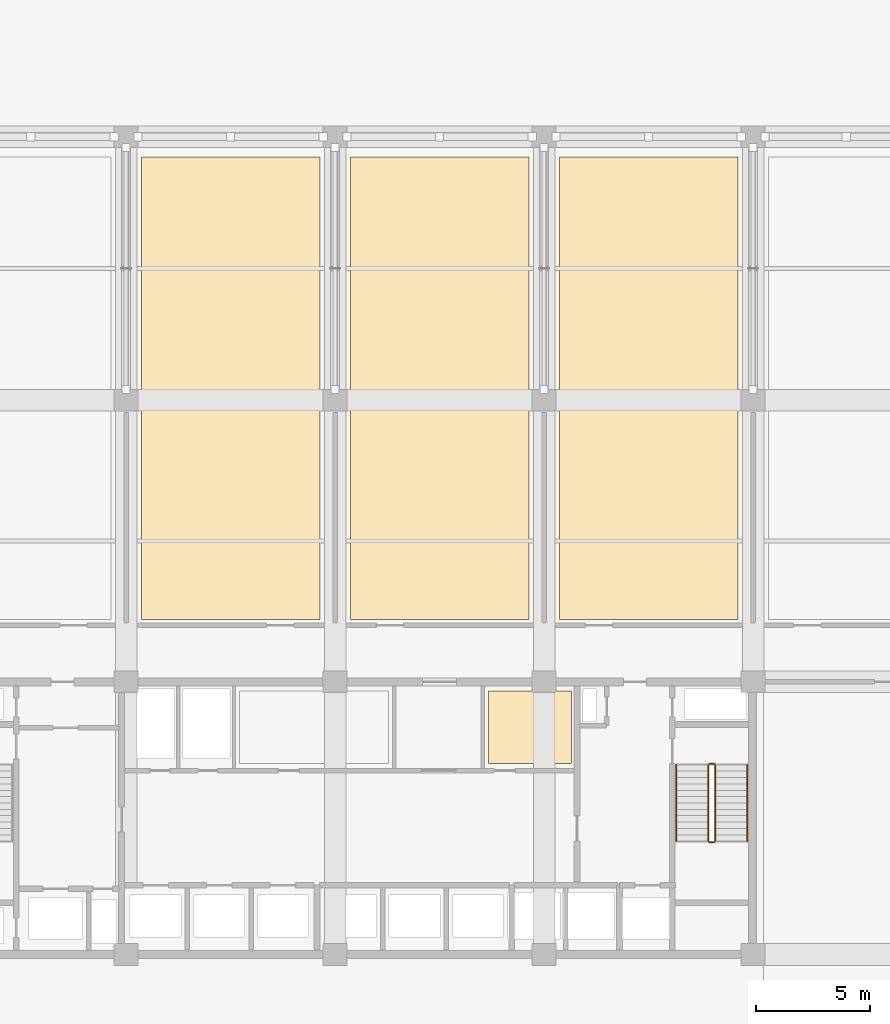
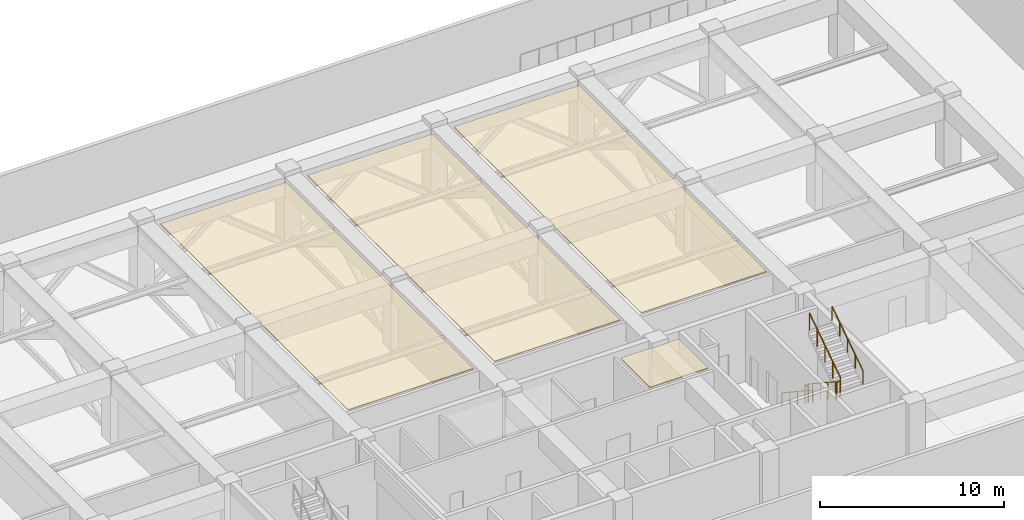
# One storey, part 20 of 21: 6 railings, 4 coverings.
"""IFC4 building model written with IfcOpenShell, lengths in metres."""

from ifc_helpers import new_model, si_unit, direction, frame, origin, origin_2d, place, context, subcontext, project, spatial, polyline, circle, outline, extrude, material, layer, layer_set, type_object, element, save


model = new_model("IFC4")

# Units and contexts
model_context = context("Model", 3, precision=1e-05, world=origin(), true_north=direction((0.0, 1.0)))
body_context = subcontext(model_context, "Body", "Model", "MODEL_VIEW")
ifc_project = project(units=[si_unit("LENGTHUNIT", "METRE"), si_unit("AREAUNIT", "SQUARE_METRE"), si_unit("VOLUMEUNIT", "CUBIC_METRE"), si_unit("PLANEANGLEUNIT", "RADIAN"), si_unit("MASSUNIT", "GRAM", prefix="KILO")], contexts=[model_context])

# Site, building, storey
site_placement = place(None, origin())
site = spatial("IfcSite", under=ifc_project, at=site_placement, CompositionType="ELEMENT")
building_placement = place(site_placement, origin())
building = spatial("IfcBuilding", under=site, at=building_placement, Name="Korimba Cascade Residences", CompositionType="ELEMENT")
storey_placement = place(building_placement, frame((0.0, 0.0, 76.0)))
storey = spatial("IfcBuildingStorey", under=building, at=storey_placement, Name="L21", CompositionType="ELEMENT", Elevation=76.0)

# Coverings
ifc_material_1 = material(Name="Mineral Wool Thermal Acoustic Insulation", Category="insulation")
ifc_layer = layer(ifc_material_1, 0.06005859375)
ifc_layer_set = layer_set([ifc_layer], Name="Mineral Wool Thermal Acoustic Insulation")
covering_type = type_object("IfcCoveringType", Name="COV-INS-60", PredefinedType="INSULATION", material=ifc_layer_set)
covering_1_placement = place(storey_placement, frame((0.0, 0.0, 4.419921875)))
element("IfcCovering", 1, at=covering_1_placement, inside=storey, type_object=covering_type, Name="L21 Mineral Wool Acoustic Soffit Insulation L21-BS1", PredefinedType="INSULATION", context=body_context, shape_type="SweptSolid", body=[
    extrude(outline(polyline([(100.449951171875, 63.60009765625), (104.10009765625, 63.60009765625), (104.10009765625, 66.800048828125), (100.449951171875, 66.800048828125), (100.449951171875, 63.60009765625)])), origin(), (0.0, 0.0, 1.0), 0.06005859375),
])
covering_2_placement = place(storey_placement, frame((0.0, 0.0, 4.419921875)))
element("IfcCovering", 2, at=covering_2_placement, inside=storey, type_object=covering_type, Name="L21 Mineral Wool Acoustic Soffit Insulation L21-PL14", PredefinedType="INSULATION", context=body_context, shape_type="SweptSolid", body=[
    extrude(outline(polyline([(85.169921875, 69.949951171875), (93.030029296875, 69.949951171875), (93.030029296875, 90.300048828125), (85.169921875, 90.300048828125), (85.169921875, 69.949951171875)])), origin(), (0.0, 0.0, 1.0), 0.06005859375),
])
covering_3_placement = place(storey_placement, frame((0.0, 0.0, 4.419921875)))
element("IfcCovering", 3, at=covering_3_placement, inside=storey, type_object=covering_type, Name="L21 Mineral Wool Acoustic Soffit Insulation L21-PL15", PredefinedType="INSULATION", context=body_context, shape_type="SweptSolid", body=[
    extrude(outline(polyline([(94.3701171875, 69.949951171875), (102.22998046875, 69.949951171875), (102.22998046875, 90.300048828125), (94.3701171875, 90.300048828125), (94.3701171875, 69.949951171875)])), origin(), (0.0, 0.0, 1.0), 0.06005859375),
])
covering_4_placement = place(storey_placement, frame((0.0, 0.0, 4.419921875)))
element("IfcCovering", 4, at=covering_4_placement, inside=storey, type_object=covering_type, Name="L21 Mineral Wool Acoustic Soffit Insulation L21-PL16", PredefinedType="INSULATION", context=body_context, shape_type="SweptSolid", body=[
    extrude(outline(polyline([(103.570068359375, 69.949951171875), (111.429931640625, 69.949951171875), (111.429931640625, 90.300048828125), (103.570068359375, 90.300048828125), (103.570068359375, 69.949951171875)])), origin(), (0.0, 0.0, 1.0), 0.06005859375),
])

# Railings
ifc_material_2 = material(Name="Painted Steel Stairwell Guardrail", Category="steel")
railing_type_1 = type_object("IfcRailingType", Name="RLG-ST-GD1150", PredefinedType="GUARDRAIL", material=ifc_material_2)
railing_1_placement = place(storey_placement, frame((110.1298828125, 63.550048828125, 0.1845703125)))
element("IfcRailing", 5, at=railing_1_placement, inside=storey, type_object=railing_type_1, Name="L21 ST-W2 stair guard 1", PredefinedType="GUARDRAIL", context=body_context, shape_type="SweptSolid", body=[
    extrude(circle(Radius=0.02392578125, at=origin_2d()), frame((0.0, 0.0, 1.1259765625), z_axis=(0.0, -0.834876476806, 0.550437342915), x_axis=(1.0, 0.0, 0.0)), (0.0, 0.0, 1.0), 4.024658203125),
    extrude(circle(Radius=0.02099609375, at=origin_2d()), origin(), (0.0, 0.0, 1.0), 1.101806640625),
    extrude(circle(Radius=0.02099609375, at=origin_2d()), frame((0.0, -0.840087890625, 0.5537109375)), (0.0, 0.0, 1.0), 1.101806640625),
    extrude(circle(Radius=0.02099609375, at=origin_2d()), frame((0.0, -1.68017578125, 1.107666015625)), (0.0, 0.0, 1.0), 1.101806640625),
    extrude(circle(Radius=0.02099609375, at=origin_2d()), frame((0.0, -2.52001953125, 1.66162109375)), (0.0, 0.0, 1.0), 1.101806640625),
    extrude(circle(Radius=0.02099609375, at=origin_2d()), frame((0.0, -3.360107421875, 2.21533203125)), (0.0, 0.0, 1.0), 1.101806640625),
])
railing_2_placement = place(storey_placement, frame((110.179931640625, 60.139892578125, 2.39990234375)))
element("IfcRailing", 6, at=railing_2_placement, inside=storey, type_object=railing_type_1, Name="L21 ST-W2 stair guard 2", PredefinedType="GUARDRAIL", context=body_context, shape_type="SweptSolid", body=[
    extrude(circle(Radius=0.02392578125, at=origin_2d()), frame((0.0, 0.0, 1.1259765625), z_axis=(1.0, 0.0, 0.0), x_axis=(0.0, 1.0, 0.0)), (0.0, 0.0, 1.0), 0.199951171875),
    extrude(circle(Radius=0.02099609375, at=origin_2d()), origin(), (0.0, 0.0, 1.0), 1.101806640625),
    extrude(circle(Radius=0.02099609375, at=origin_2d()), frame((0.199951171875, 0.0, 0.0)), (0.0, 0.0, 1.0), 1.101806640625),
])
railing_3_placement = place(storey_placement, frame((110.429931640625, 60.18994140625, 2.584716796875)))
element("IfcRailing", 7, at=railing_3_placement, inside=storey, type_object=railing_type_1, Name="L21 ST-W2 stair guard 3", PredefinedType="GUARDRAIL", context=body_context, shape_type="SweptSolid", body=[
    extrude(circle(Radius=0.02392578125, at=origin_2d()), frame((0.0, 0.0, 1.1259765625), z_axis=(0.0, 0.834876476806, 0.550437342915), x_axis=(-1.0, 0.0, 0.0)), (0.0, 0.0, 1.0), 4.024658203125),
    extrude(circle(Radius=0.02099609375, at=origin_2d()), origin(), (0.0, 0.0, 1.0), 1.101806640625),
    extrude(circle(Radius=0.02099609375, at=origin_2d()), frame((0.0, 0.840087890625, 0.5537109375)), (0.0, 0.0, 1.0), 1.101806640625),
    extrude(circle(Radius=0.02099609375, at=origin_2d()), frame((0.0, 1.68017578125, 1.107666015625)), (0.0, 0.0, 1.0), 1.101806640625),
    extrude(circle(Radius=0.02099609375, at=origin_2d()), frame((0.0, 2.52001953125, 1.66162109375)), (0.0, 0.0, 1.0), 1.101806640625),
    extrude(circle(Radius=0.02099609375, at=origin_2d()), frame((0.0, 3.360107421875, 2.21533203125)), (0.0, 0.0, 1.0), 1.101806640625),
])
railing_4_placement = place(storey_placement, frame((110.179931640625, 63.60009765625, 0.0)))
element("IfcRailing", 8, at=railing_4_placement, inside=storey, type_object=railing_type_1, Name="L21 ST-W2 stair guard 4", PredefinedType="GUARDRAIL", context=body_context, shape_type="SweptSolid", body=[
    extrude(circle(Radius=0.02392578125, at=origin_2d()), frame((0.0, 0.0, 1.1259765625), z_axis=(1.0, 0.0, 0.0), x_axis=(0.0, 1.0, 0.0)), (0.0, 0.0, 1.0), 0.199951171875),
    extrude(circle(Radius=0.02099609375, at=origin_2d()), origin(), (0.0, 0.0, 1.0), 1.101806640625),
    extrude(circle(Radius=0.02099609375, at=origin_2d()), frame((0.199951171875, 0.0, 0.0)), (0.0, 0.0, 1.0), 1.101806640625),
])
ifc_material_3 = material(Name="Brushed Stainless Steel Handrail", Category="steel")
railing_type_2 = type_object("IfcRailingType", Name="RLG-ST-HR900", PredefinedType="HANDRAIL", material=ifc_material_3)
railing_5_placement = place(storey_placement, frame((108.7099609375, 63.550048828125, 0.373291015625)))
element("IfcRailing", 9, at=railing_5_placement, inside=storey, type_object=railing_type_2, Name="L21 ST-W2 stair handrail 1", PredefinedType="HANDRAIL", context=body_context, shape_type="SweptSolid", body=[
    extrude(circle(Radius=0.02392578125, at=origin_2d()), frame((0.0, 0.0, 0.8759765625), z_axis=(0.0, -0.834876476806, 0.550437342915), x_axis=(1.0, 0.0, 0.0)), (0.0, 0.0, 1.0), 4.024658203125),
    extrude(circle(Radius=0.02099609375, at=origin_2d()), origin(), (0.0, 0.0, 1.0), 0.851806640625),
    extrude(circle(Radius=0.02099609375, at=origin_2d()), frame((0.0, -0.840087890625, 0.5537109375)), (0.0, 0.0, 1.0), 0.851806640625),
    extrude(circle(Radius=0.02099609375, at=origin_2d()), frame((0.0, -1.68017578125, 1.107666015625)), (0.0, 0.0, 1.0), 0.851806640625),
    extrude(circle(Radius=0.02099609375, at=origin_2d()), frame((0.0, -2.52001953125, 1.66162109375)), (0.0, 0.0, 1.0), 0.851806640625),
    extrude(circle(Radius=0.02099609375, at=origin_2d()), frame((0.0, -3.360107421875, 2.21533203125)), (0.0, 0.0, 1.0), 0.851806640625),
])
railing_6_placement = place(storey_placement, frame((111.85009765625, 60.18994140625, 2.773193359375)))
element("IfcRailing", 10, at=railing_6_placement, inside=storey, type_object=railing_type_2, Name="L21 ST-W2 stair handrail 2", PredefinedType="HANDRAIL", context=body_context, shape_type="SweptSolid", body=[
    extrude(circle(Radius=0.02392578125, at=origin_2d()), frame((0.0, 0.0, 0.8759765625), z_axis=(0.0, 0.834876476806, 0.550437342915), x_axis=(-1.0, 0.0, 0.0)), (0.0, 0.0, 1.0), 4.024658203125),
    extrude(circle(Radius=0.02099609375, at=origin_2d()), origin(), (0.0, 0.0, 1.0), 0.851806640625),
    extrude(circle(Radius=0.02099609375, at=origin_2d()), frame((0.0, 0.840087890625, 0.5537109375)), (0.0, 0.0, 1.0), 0.851806640625),
    extrude(circle(Radius=0.02099609375, at=origin_2d()), frame((0.0, 1.68017578125, 1.107666015625)), (0.0, 0.0, 1.0), 0.851806640625),
    extrude(circle(Radius=0.02099609375, at=origin_2d()), frame((0.0, 2.52001953125, 1.66162109375)), (0.0, 0.0, 1.0), 0.851806640625),
    extrude(circle(Radius=0.02099609375, at=origin_2d()), frame((0.0, 3.360107421875, 2.21533203125)), (0.0, 0.0, 1.0), 0.851806640625),
])

save(model, "model.ifc")
